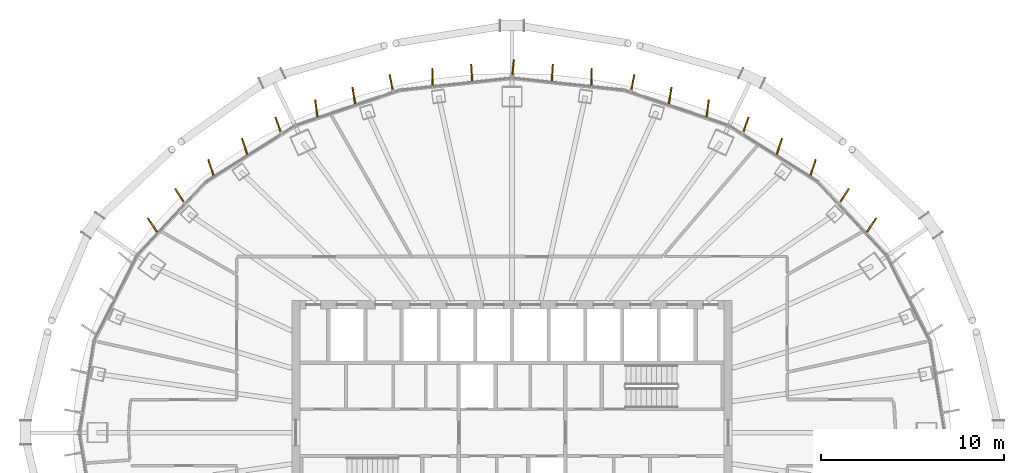
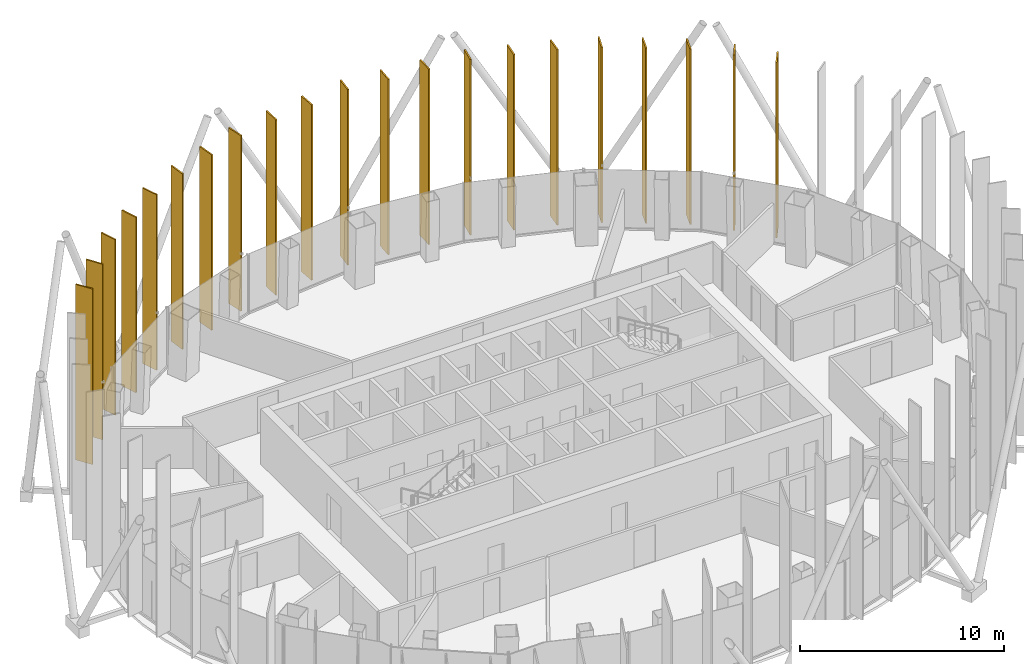
# One storey, part 19 of 19: 21 shading devices.
"""IFC4 building model written with IfcOpenShell, lengths in metres."""

from ifc_helpers import new_model, si_unit, direction, frame, origin, origin_2d, place, context, subcontext, project, spatial, rectangle, extrude, material, layer, layer_set, type_object, element, save


model = new_model("IFC4")

# Units and contexts
model_context = context("Model", 3, precision=1e-05, world=origin(), true_north=direction((0.0, 1.0)))
body_context = subcontext(model_context, "Body", "Model", "MODEL_VIEW")
ifc_project = project(units=[si_unit("LENGTHUNIT", "METRE"), si_unit("AREAUNIT", "SQUARE_METRE"), si_unit("VOLUMEUNIT", "CUBIC_METRE"), si_unit("PLANEANGLEUNIT", "RADIAN"), si_unit("MASSUNIT", "GRAM", prefix="KILO")], contexts=[model_context])

# Site, building, storey
site_placement = place(None, origin())
site = spatial("IfcSite", under=ifc_project, at=site_placement, CompositionType="ELEMENT")
building_placement = place(site_placement, origin())
building = spatial("IfcBuilding", under=site, at=building_placement, Name="Siaravel Broadcast Tower", CompositionType="ELEMENT")
storey_placement = place(building_placement, frame((0.0, 0.0, 168.199951171875)))
storey = spatial("IfcBuildingStorey", under=building, at=storey_placement, Name="L40", CompositionType="ELEMENT", Elevation=168.199951171875)

# Shading devices
ifc_material = material(Name="Bronze anodised aluminium", Category="aluminium")
ifc_layer = layer(ifc_material, 0.080078125)
ifc_layer_set = layer_set([ifc_layer], Name="Bronze anodised aluminium")
shading_device_type = type_object("IfcShadingDeviceType", Name="Bronze fin zone 3", PredefinedType="USERDEFINED", material=ifc_layer_set)
for number, where, z_axis, x_axis, name in (
    (1, (19.59521484375, 11.312255859375, 0.300048828125), (0.0, 0.0, 1.0), (0.556160726, 0.831074754, 0.0), "Bronze fin L40-06"),
    (2, (18.1044921875, 12.9013671875, 0.300048828125), (0.0, 0.0, 1.0), (0.545228794, 0.838287279, 0.0), "Bronze fin L40-07"),
    (3, (16.410888671875, 14.447998046875, 0.300048828125), (0.0, 0.0, 1.0), (0.311786064, 0.95015233, 0.0), "Bronze fin L40-08"),
    (4, (14.57421875, 15.603271484375, 0.300048828125), (0.0, 0.0, 1.0), (0.318474596, 0.947931396, 0.0), "Bronze fin L40-09"),
    (5, (12.74169921875, 16.75732421875, 0.300048828125), (0.0, 0.0, 1.0), (0.333879248, 0.942615854, 0.0), "Bronze fin L40-10"),
    (6, (10.663818359375, 17.67529296875, 0.300048828125), (0.0, 0.0, 1.0), (0.130000133, 0.991513976, 0.0), "Bronze fin L40-11"),
    (7, (8.6201171875, 18.371337890625, 0.300048828125), (0.0, 0.0, 1.0), (0.160613367, 0.987017399, 0.0), "Bronze fin L40-12"),
    (8, (6.578857421875, 19.06640625, 0.300048828125), (0.0, 0.0, 1.0), (0.196793261, 0.980445007, 0.0), "Bronze fin L40-13"),
    (9, (4.337890625, 19.39404296875, 0.300048828125), (0.0, 0.0, 1.0), (0.018818774, 0.999822911, 0.0), "Bronze fin L40-14"),
    (10, (2.197509765625, 19.626220703125, 0.300048828125), (0.0, 0.0, 1.0), (0.062466526, 0.99804706, 0.0), "Bronze fin L40-15"),
    (11, (0.0576171875, 19.857421875, 0.300048828125), (0.0, 0.0, 1.0), (0.107216783, 0.994235667, 0.0), "Bronze fin L40-16"),
    (12, (-2.197509765625, 19.626220703125, 0.300048828125), (0.0, 0.0, 1.0), (-0.062466526, 0.99804706, 0.0), "Bronze fin L40-17"),
    (13, (-4.337890625, 19.39404296875, 0.300048828125), (0.0, 0.0, 1.0), (-0.018818774, 0.999822911, 0.0), "Bronze fin L40-18"),
    (14, (-6.578857421875, 19.06640625, 0.300048828125), (0.0, 0.0, 1.0), (-0.196793261, 0.980445007, 0.0), "Bronze fin L40-19"),
    (15, (-8.6201171875, 18.371337890625, 0.300048828125), (0.0, 0.0, 1.0), (-0.160613367, 0.987017399, 0.0), "Bronze fin L40-20"),
    (16, (-10.663818359375, 17.67529296875, 0.300048828125), (0.0, 0.0, 1.0), (-0.130000133, 0.991513976, 0.0), "Bronze fin L40-21"),
    (17, (-12.74169921875, 16.75732421875, 0.300048828125), (0.0, 0.0, 1.0), (-0.333879248, 0.942615854, 0.0), "Bronze fin L40-22"),
    (18, (-14.57421875, 15.603271484375, 0.300048828125), (0.0, 0.0, 1.0), (-0.318474596, 0.947931396, 0.0), "Bronze fin L40-23"),
    (19, (-16.410888671875, 14.447998046875, 0.300048828125), (0.0, 0.0, 1.0), (-0.311786064, 0.95015233, 0.0), "Bronze fin L40-24"),
    (20, (-18.1044921875, 12.9013671875, 0.300048828125), (0.0, 0.0, 1.0), (-0.545228794, 0.838287279, 0.0), "Bronze fin L40-25"),
    (21, (-19.59521484375, 11.312255859375, 0.300048828125), (0.0, 0.0, 1.0), (-0.556160726, 0.831074754, 0.0), "Bronze fin L40-26"),
):
    element("IfcShadingDevice", number, at=place(storey_placement, frame(where, z_axis=z_axis, x_axis=x_axis)), inside=storey, type_object=shading_device_type, Name=name, ObjectType="FIN", PredefinedType="USERDEFINED", context=body_context, shape_type="SweptSolid", body=[
        extrude(rectangle(XDim=0.919921875, YDim=0.080078125, at=origin_2d()), origin(), (0.0, 0.0, 1.0), 10.5),
    ])

save(model, "model.ifc")
